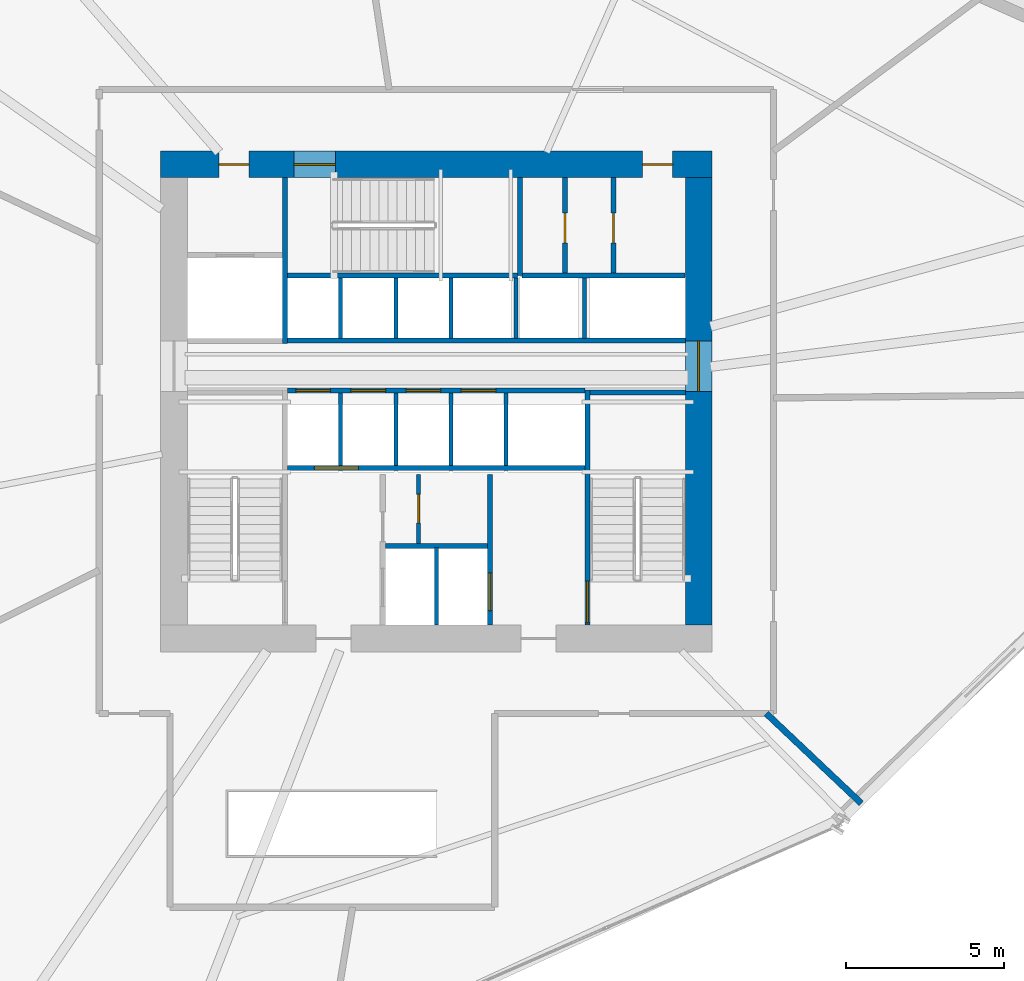
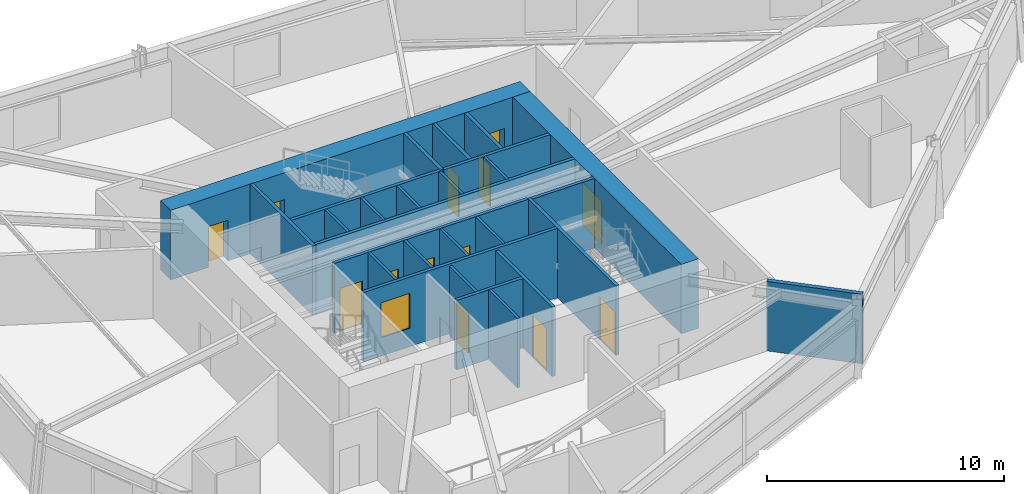
# One storey, part 14 of 17: 27 walls, 13 doors, 1 window, 14 openings.
"""IFC4 building model written with IfcOpenShell, lengths in metres."""

from ifc_helpers import new_model, si_unit, direction, frame, frame_2d, origin, place, context, subcontext, project, spatial, rectangle, extrude, source, transform, mapped, material, layer, layer_set, type_object, type_shapes, element, fill, save


model = new_model("IFC4")

# Units and contexts
model_context = context("Model", 3, precision=1e-05, world=origin(), true_north=direction((0.0, 1.0)))
body_context = subcontext(model_context, "Body", "Model", "MODEL_VIEW")
ifc_project = project(units=[si_unit("LENGTHUNIT", "METRE"), si_unit("AREAUNIT", "SQUARE_METRE"), si_unit("VOLUMEUNIT", "CUBIC_METRE"), si_unit("PLANEANGLEUNIT", "RADIAN"), si_unit("MASSUNIT", "GRAM", prefix="KILO")], contexts=[model_context])

# Site, building, storey
site_placement = place(None, origin())
site = spatial("IfcSite", under=ifc_project, at=site_placement, CompositionType="ELEMENT")
building_placement = place(site_placement, origin())
building = spatial("IfcBuilding", under=site, at=building_placement, Name="Olszyna Solenne Hotel", CompositionType="ELEMENT")
storey_placement = place(building_placement, frame((0.0, 0.0, 75.89990234375)))
storey = spatial("IfcBuildingStorey", under=building, at=storey_placement, Name="L19", CompositionType="ELEMENT", Elevation=75.89990234375)

# Wall, openings, doors
ifc_material_1 = material(Name="Concrete C60/75", Category="concrete")
ifc_layer_1 = layer(ifc_material_1, 0.85009765625, Name="Concrete C60/75")
ifc_layer_set_1 = layer_set([ifc_layer_1], Name="Concrete C60/75")
wall_type_1 = type_object("IfcWallType", Name="WL-CR850", PredefinedType="SHEAR", material=ifc_layer_set_1)
wall_1_placement = place(storey_placement, frame((29.25, 34.125, 0.0), z_axis=(0.0, 0.0, 1.0), x_axis=(1.0, 0.0, 0.0)))
wall_1 = element("IfcWall", 1, at=wall_1_placement, inside=storey, type_object=wall_type_1, Name="Core shear wall WL-CR850 CRW-L19-N", PredefinedType="SHEAR", context=body_context, shape_type="SweptSolid", body=[
    extrude(rectangle(XDim=17.5, YDim=0.85009765625, at=frame_2d((8.75, 0.0))), origin(), (0.0, 0.0, 1.0), 3.580078125),
])
opening_1_placement = place(wall_1_placement, frame((1.85009765625, 0.0, 0.0)))
opening_1 = element("IfcOpeningElement", 2, at=opening_1_placement, cuts=wall_1, Name="Opening SVD-L19-01", PredefinedType="OPENING", context=body_context, shape_type="SweptSolid", body=[
    extrude(rectangle(XDim=0.949951171875, YDim=2.10009765625, at=frame_2d((0.47509765625, 1.050048828125))), frame((0.0, 0.43505859375, 0.0), z_axis=(0.0, -1.0, 0.0), x_axis=(1.0, 0.0, 0.0)), (0.0, 0.0, 1.0), 0.8701171875),
])
opening_2_placement = place(wall_1_placement, frame((4.22998046875, 0.0, 0.0)))
opening_2 = element("IfcOpeningElement", 3, at=opening_2_placement, cuts=wall_1, Name="Opening STD-L19-03", PredefinedType="OPENING", context=body_context, shape_type="SweptSolid", body=[
    extrude(rectangle(XDim=1.320068359375, YDim=2.199951171875, at=frame_2d((0.66015625, 1.10009765625))), frame((0.0, 0.43505859375, 0.0), z_axis=(0.0, -1.0, 0.0), x_axis=(1.0, 0.0, 0.0)), (0.0, 0.0, 1.0), 0.8701171875),
])
opening_3_placement = place(wall_1_placement, frame((15.300048828125, 0.0, 0.0)))
opening_3 = element("IfcOpeningElement", 4, at=opening_3_placement, cuts=wall_1, Name="Opening SVD-L19-BN", PredefinedType="OPENING", context=body_context, shape_type="SweptSolid", body=[
    extrude(rectangle(XDim=0.949951171875, YDim=2.10009765625, at=frame_2d((0.47509765625, 1.050048828125))), frame((0.0, 0.43505859375, 0.0), z_axis=(0.0, -1.0, 0.0), x_axis=(1.0, 0.0, 0.0)), (0.0, 0.0, 1.0), 0.8701171875),
])
ifc_material_2 = material(Name="Steel S355J2", Category="steel")
door_type_1 = type_object("IfcDoorType", Name="DR-ST1", OperationType="NOTDEFINED", PredefinedType="DOOR", material=ifc_material_2)
shared_shape_1 = source(origin(), body_context, "Body", "SweptSolid", [
    extrude(rectangle(XDim=1.320068359375, YDim=2.199951171875, at=frame_2d((0.66015625, 1.10009765625))), frame((0.0, 0.02490234375, 0.0), z_axis=(0.0, -1.0, 0.0), x_axis=(1.0, 0.0, 0.0)), (0.0, 0.0, 1.0), 0.050048828125),
])
type_shapes(door_type_1, [shared_shape_1])
door_1_placement = place(opening_2_placement, origin())
door_1 = element("IfcDoor", 5, at=door_1_placement, inside=storey, type_object=door_type_1, Name="Pressurised exit stair ST3 fire door STD-L19-03", OperationType="SINGLE_SWING_RIGHT", OverallHeight=2.199951171875, OverallWidth=1.320068359375, PredefinedType="DOOR", context=body_context, shape_type="MappedRepresentation", body=[
    mapped(shared_shape_1, transform((0.0, 0.0, 0.0), x_axis=(1.0, 0.0, 0.0), y_axis=(0.0, 1.0, 0.0), z_axis=(0.0, 0.0, 1.0), scale=1.0)),
])
fill(opening_2, door_1)
door_type_2 = type_object("IfcDoorType", Name="DR-SV1", OperationType="NOTDEFINED", PredefinedType="DOOR", material=ifc_material_2)
shared_shape_2 = source(origin(), body_context, "Body", "SweptSolid", [
    extrude(rectangle(XDim=0.949951171875, YDim=2.10009765625, at=frame_2d((0.47509765625, 1.050048828125))), frame((0.0, 0.02490234375, 0.0), z_axis=(0.0, -1.0, 0.0), x_axis=(1.0, 0.0, 0.0)), (0.0, 0.0, 1.0), 0.050048828125),
])
type_shapes(door_type_2, [shared_shape_2])
door_2_placement = place(opening_1_placement, origin())
door_2 = element("IfcDoor", 6, at=door_2_placement, inside=storey, type_object=door_type_2, Name="Service lift lobby fire door SVD-L19-01", OperationType="SINGLE_SWING_LEFT", OverallHeight=2.10009765625, OverallWidth=0.949951171875, PredefinedType="DOOR", context=body_context, shape_type="MappedRepresentation", body=[
    mapped(shared_shape_2, transform((0.0, 0.0, 0.0), x_axis=(1.0, 0.0, 0.0), y_axis=(0.0, 1.0, 0.0), z_axis=(0.0, 0.0, 1.0), scale=1.0)),
])
fill(opening_1, door_2)
door_3_placement = place(opening_3_placement, origin())
door_3 = element("IfcDoor", 7, at=door_3_placement, inside=storey, type_object=door_type_2, Name="Housekeeping core fire door SVD-L19-BN", OperationType="SINGLE_SWING_LEFT", OverallHeight=2.10009765625, OverallWidth=0.949951171875, PredefinedType="DOOR", context=body_context, shape_type="MappedRepresentation", body=[
    mapped(shared_shape_2, transform((0.0, 0.0, 0.0), x_axis=(1.0, 0.0, 0.0), y_axis=(0.0, 1.0, 0.0), z_axis=(0.0, 0.0, 1.0), scale=1.0)),
])
fill(opening_3, door_3)

# Wall, opening, door
wall_2_placement = place(storey_placement, frame((46.324951171875, 33.699951171875, 0.0), z_axis=(0.0, 0.0, 1.0), x_axis=(0.0, -1.0, 0.0)))
wall_2 = element("IfcWall", 8, at=wall_2_placement, inside=storey, type_object=wall_type_1, Name="Core shear wall WL-CR850 CRW-L19-E", PredefinedType="SHEAR", context=body_context, shape_type="SweptSolid", body=[
    extrude(rectangle(XDim=14.199951171875, YDim=0.85009765625, at=frame_2d((7.10009765625, 0.0))), origin(), (0.0, 0.0, 1.0), 3.580078125),
])
opening_4_placement = place(wall_2_placement, frame((5.179931640625, 0.0, 0.0)))
opening_4 = element("IfcOpeningElement", 9, at=opening_4_placement, cuts=wall_2, Name="Opening LHD-L19-E", PredefinedType="OPENING", context=body_context, shape_type="SweptSolid", body=[
    extrude(rectangle(XDim=1.60009765625, YDim=2.199951171875, at=frame_2d((0.800048828125, 1.10009765625))), frame((0.0, 0.43505859375, 0.0), z_axis=(0.0, -1.0, 0.0), x_axis=(1.0, 0.0, 0.0)), (0.0, 0.0, 1.0), 0.8701171875),
])
ifc_material_3 = material(Name="Timber hardwood", Category="wood")
door_type_3 = type_object("IfcDoorType", Name="DR-CR1", OperationType="DOUBLE_DOOR_SINGLE_SWING", PredefinedType="DOOR", material=ifc_material_3)
shared_shape_3 = source(origin(), body_context, "Body", "SweptSolid", [
    extrude(rectangle(XDim=1.60009765625, YDim=2.199951171875, at=frame_2d((0.800048828125, 1.10009765625))), frame((0.0, 0.02490234375, 0.0), z_axis=(0.0, -1.0, 0.0), x_axis=(1.0, 0.0, 0.0)), (0.0, 0.0, 1.0), 0.050048828125),
])
type_shapes(door_type_3, [shared_shape_3])
door_4_placement = place(opening_4_placement, origin())
door_4 = element("IfcDoor", 10, at=door_4_placement, inside=storey, type_object=door_type_3, Name="Passenger lift lobby East fire door LHD-L19-E", OperationType="DOUBLE_DOOR_SINGLE_SWING", OverallHeight=2.199951171875, OverallWidth=1.60009765625, PredefinedType="DOOR", context=body_context, shape_type="MappedRepresentation", body=[
    mapped(shared_shape_3, transform((0.0, 0.0, 0.0), x_axis=(1.0, 0.0, 0.0), y_axis=(0.0, 1.0, 0.0), z_axis=(0.0, 0.0, 1.0), scale=1.0)),
])
fill(opening_4, door_4)

# Wall
ifc_material_4 = material(Name="Acoustic gypsum partition", Category="gypsum")
ifc_layer_2 = layer(ifc_material_4, 0.125, Name="Acoustic gypsum partition")
ifc_layer_set_2 = layer_set([ifc_layer_2], Name="Acoustic gypsum partition")
wall_type_2 = type_object("IfcWallType", Name="WL-PT125", PredefinedType="PARTITIONING", material=ifc_layer_set_2)
wall_3_placement = place(storey_placement, frame((38.0, 19.5, 0.0), z_axis=(0.0, 0.0, 1.0), x_axis=(0.0, 1.0, 0.0)))
element("IfcWall", 11, at=wall_3_placement, inside=storey, type_object=wall_type_2, Name="Core shaft compartment wall CW-L19-FFM", PredefinedType="PARTITIONING", context=body_context, shape_type="SweptSolid", body=[
    extrude(rectangle(XDim=2.4599609375, YDim=0.125, at=frame_2d((1.22998046875, 0.0))), origin(), (0.0, 0.0, 1.0), 3.580078125),
])

# Wall, opening, door
wall_4_placement = place(storey_placement, frame((37.44189453125, 22.10009765625, 0.0), z_axis=(0.0, 0.0, 1.0), x_axis=(0.0, 1.0, 0.0)))
wall_4 = element("IfcWall", 12, at=wall_4_placement, inside=storey, type_object=wall_type_2, Name="Core shaft compartment wall CW-L19-SC3", PredefinedType="PARTITIONING", context=body_context, shape_type="SweptSolid", body=[
    extrude(rectangle(XDim=2.179931640625, YDim=0.125, at=frame_2d((1.08984375, 0.0))), origin(), (0.0, 0.0, 1.0), 3.580078125),
])
opening_5_placement = place(wall_4_placement, frame((0.64990234375, 0.0, 0.0)))
opening_5 = element("IfcOpeningElement", 13, at=opening_5_placement, cuts=wall_4, Name="Opening SVD-L19-SC3", PredefinedType="OPENING", context=body_context, shape_type="SweptSolid", body=[
    extrude(rectangle(XDim=0.89990234375, YDim=2.10009765625, at=frame_2d((0.449951171875, 1.050048828125))), frame((0.0, 0.072509765625, 0.0), z_axis=(0.0, -1.0, 0.0), x_axis=(1.0, 0.0, 0.0)), (0.0, 0.0, 1.0), 0.14501953125),
])
door_type_4 = type_object("IfcDoorType", Name="DR-WC1", OperationType="NOTDEFINED", PredefinedType="DOOR", material=ifc_material_3)
shared_shape_4 = source(origin(), body_context, "Body", "SweptSolid", [
    extrude(rectangle(XDim=0.89990234375, YDim=2.10009765625, at=frame_2d((0.449951171875, 1.050048828125))), frame((0.0, 0.02490234375, 0.0), z_axis=(0.0, -1.0, 0.0), x_axis=(1.0, 0.0, 0.0)), (0.0, 0.0, 1.0), 0.050048828125),
])
type_shapes(door_type_4, [shared_shape_4])
door_5_placement = place(opening_5_placement, origin())
door_5 = element("IfcDoor", 14, at=door_5_placement, inside=storey, type_object=door_type_4, Name="Trolley bay door SVD-L19-SC3", OperationType="SINGLE_SWING_LEFT", OverallHeight=2.10009765625, OverallWidth=0.89990234375, PredefinedType="DOOR", context=body_context, shape_type="MappedRepresentation", body=[
    mapped(shared_shape_4, transform((0.0, 0.0, 0.0), x_axis=(1.0, 0.0, 0.0), y_axis=(0.0, 1.0, 0.0), z_axis=(0.0, 0.0, 1.0), scale=1.0)),
])
fill(opening_5, door_5)

# Walls
for number, where, z_axis, x_axis, name in (
    (15, (34.965087890625, 24.56005859375, 0.0), (0.0, 0.0, 1.0), (0.0, 1.0, 0.0), "Core shaft compartment wall CW-L19-DIVS349"),
    (16, (36.715087890625, 24.56005859375, 0.0), (0.0, 0.0, 1.0), (0.0, 1.0, 0.0), "Core shaft compartment wall CW-L19-DIVS367"),
    (17, (38.465087890625, 24.56005859375, 0.0), (0.0, 0.0, 1.0), (0.0, 1.0, 0.0), "Core shaft compartment wall CW-L19-DIVS384"),
    (18, (40.215087890625, 24.56005859375, 0.0), (0.0, 0.0, 1.0), (0.0, 1.0, 0.0), "Core shaft compartment wall CW-L19-DIVS402"),
):
    element("IfcWall", number, at=place(storey_placement, frame(where, z_axis=z_axis, x_axis=x_axis)), inside=storey, type_object=wall_type_2, Name=name, PredefinedType="PARTITIONING", context=body_context, shape_type="SweptSolid", body=[
        extrude(rectangle(XDim=2.31005859375, YDim=0.125, at=frame_2d((1.155029296875, 0.0))), origin(), (0.0, 0.0, 1.0), 3.580078125),
    ])
for number, where, z_axis, x_axis, name in (
    (19, (34.965087890625, 28.60009765625, 0.0), (0.0, 0.0, 1.0), (0.0, 1.0, 0.0), "Core shaft compartment wall CW-L19-DIVN349"),
    (20, (36.715087890625, 28.60009765625, 0.0), (0.0, 0.0, 1.0), (0.0, 1.0, 0.0), "Core shaft compartment wall CW-L19-DIVN367"),
    (21, (38.465087890625, 28.60009765625, 0.0), (0.0, 0.0, 1.0), (0.0, 1.0, 0.0), "Core shaft compartment wall CW-L19-DIVN384"),
    (22, (40.52490234375, 28.60009765625, 0.0), (0.0, 0.0, 1.0), (0.0, 1.0, 0.0), "Core shaft compartment wall CW-L19-DIVEX405"),
    (23, (42.699951171875, 28.60009765625, 0.0), (0.0, 0.0, 1.0), (0.0, 1.0, 0.0), "Core shaft compartment wall CW-L19-DIVEX427"),
):
    element("IfcWall", number, at=place(storey_placement, frame(where, z_axis=z_axis, x_axis=x_axis)), inside=storey, type_object=wall_type_2, Name=name, PredefinedType="PARTITIONING", context=body_context, shape_type="SweptSolid", body=[
        extrude(rectangle(XDim=1.919921875, YDim=0.125, at=frame_2d((0.9599609375, 0.0))), origin(), (0.0, 0.0, 1.0), 3.580078125),
    ])

# Wall, opening, door
ifc_layer_3 = layer(ifc_material_4, 0.159912109375, Name="Acoustic gypsum partition")
ifc_layer_set_3 = layer_set([ifc_layer_3], Name="Acoustic gypsum partition")
wall_type_3 = type_object("IfcWallType", Name="WL-PT160", PredefinedType="PARTITIONING", material=ifc_layer_set_3)
wall_5_placement = place(storey_placement, frame((42.800048828125, 26.9599609375, 0.0), z_axis=(0.0, 0.0, 1.0), x_axis=(0.0, -1.0, 0.0)))
wall_5 = element("IfcWall", 24, at=wall_5_placement, inside=storey, type_object=wall_type_3, Name="Core shaft compartment wall CW-L19-ST2W", PredefinedType="PARTITIONING", context=body_context, shape_type="SweptSolid", body=[
    extrude(rectangle(XDim=7.4599609375, YDim=0.159912109375, at=frame_2d((3.72998046875, 0.0))), origin(), (0.0, 0.0, 1.0), 3.580078125),
])
opening_6_placement = place(wall_5_placement, frame((6.06005859375, 0.0, 0.0)))
opening_6 = element("IfcOpeningElement", 25, at=opening_6_placement, cuts=wall_5, Name="Opening STD-L19-02", PredefinedType="OPENING", context=body_context, shape_type="SweptSolid", body=[
    extrude(rectangle(XDim=1.320068359375, YDim=2.199951171875, at=frame_2d((0.66015625, 1.10009765625))), frame((0.0, 0.08984375, 0.0), z_axis=(0.0, -1.0, 0.0), x_axis=(1.0, 0.0, 0.0)), (0.0, 0.0, 1.0), 0.179931640625),
])
door_6_placement = place(opening_6_placement, origin())
door_6 = element("IfcDoor", 26, at=door_6_placement, inside=storey, type_object=door_type_1, Name="Pressurised exit stair ST2 fire door STD-L19-02", OperationType="SINGLE_SWING_RIGHT", OverallHeight=2.199951171875, OverallWidth=1.320068359375, PredefinedType="DOOR", context=body_context, shape_type="MappedRepresentation", body=[
    mapped(shared_shape_1, transform((0.0, 0.0, 0.0), x_axis=(1.0, 0.0, 0.0), y_axis=(0.0, 1.0, 0.0), z_axis=(0.0, 0.0, 1.0), scale=1.0)),
])
fill(opening_6, door_6)

# Walls
wall_6_placement = place(storey_placement, frame((42.8798828125, 26.8798828125, 0.0), z_axis=(0.0, 0.0, 1.0), x_axis=(1.0, 0.0, 0.0)))
element("IfcWall", 27, at=wall_6_placement, inside=storey, type_object=wall_type_3, Name="Core shaft compartment wall CW-L19-ST2N", PredefinedType="PARTITIONING", context=body_context, shape_type="SweptSolid", body=[
    extrude(rectangle(XDim=3.02001953125, YDim=0.159912109375, at=frame_2d((1.510009765625, 0.0))), origin(), (0.0, 0.0, 1.0), 3.580078125),
])
wall_7_placement = place(storey_placement, frame((33.280029296875, 30.60009765625, 0.0), z_axis=(0.0, 0.0, 1.0), x_axis=(1.0, 0.0, 0.0)))
element("IfcWall", 28, at=wall_7_placement, inside=storey, type_object=wall_type_3, Name="Core shaft compartment wall CW-L19-ST3S", PredefinedType="PARTITIONING", context=body_context, shape_type="SweptSolid", body=[
    extrude(rectangle(XDim=7.300048828125, YDim=0.159912109375, at=frame_2d((3.64990234375, 0.0))), origin(), (0.0, 0.0, 1.0), 3.580078125),
])
wall_8_placement = place(storey_placement, frame((40.659912109375, 30.60009765625, 0.0), z_axis=(0.0, 0.0, 1.0), x_axis=(0.0, 1.0, 0.0)))
element("IfcWall", 29, at=wall_8_placement, inside=storey, type_object=wall_type_3, Name="Core shaft compartment wall CW-L19-ST3E", PredefinedType="PARTITIONING", context=body_context, shape_type="SweptSolid", body=[
    extrude(rectangle(XDim=3.099853515625, YDim=0.159912109375, at=frame_2d((1.5498046875, 0.0))), origin(), (0.0, 0.0, 1.0), 3.580078125),
])

# Wall, opening, door
wall_9_placement = place(storey_placement, frame((39.699951171875, 24.280029296875, 0.0), z_axis=(0.0, 0.0, 1.0), x_axis=(0.0, -1.0, 0.0)))
wall_9 = element("IfcWall", 30, at=wall_9_placement, inside=storey, type_object=wall_type_3, Name="Core shaft compartment wall CW-L19-FF2E", PredefinedType="PARTITIONING", context=body_context, shape_type="SweptSolid", body=[
    extrude(rectangle(XDim=4.780029296875, YDim=0.159912109375, at=frame_2d((2.39013671875, 0.0))), origin(), (0.0, 0.0, 1.0), 3.580078125),
])
opening_7_placement = place(wall_9_placement, frame((3.1201171875, 0.0, 0.0)))
opening_7 = element("IfcOpeningElement", 31, at=opening_7_placement, cuts=wall_9, Name="Opening LD-L19-FF2", PredefinedType="OPENING", context=body_context, shape_type="SweptSolid", body=[
    extrude(rectangle(XDim=1.199951171875, YDim=2.199951171875, at=frame_2d((0.60009765625, 1.10009765625))), frame((0.0, 0.08984375, 0.0), z_axis=(0.0, -1.0, 0.0), x_axis=(1.0, 0.0, 0.0)), (0.0, 0.0, 1.0), 0.179931640625),
])
door_type_5 = type_object("IfcDoorType", Name="LD-FF1", OperationType="DOUBLE_DOOR_SLIDING", PredefinedType="DOOR", material=ifc_material_2)
shared_shape_5 = source(origin(), body_context, "Body", "SweptSolid", [
    extrude(rectangle(XDim=1.199951171875, YDim=2.199951171875, at=frame_2d((0.60009765625, 1.10009765625))), frame((0.0, 0.02490234375, 0.0), z_axis=(0.0, -1.0, 0.0), x_axis=(1.0, 0.0, 0.0)), (0.0, 0.0, 1.0), 0.050048828125),
])
type_shapes(door_type_5, [shared_shape_5])
door_7_placement = place(opening_7_placement, origin())
door_7 = element("IfcDoor", 32, at=door_7_placement, inside=storey, type_object=door_type_5, Name="Firefighters lift FF2 sliding landing door LD-L19-FF2", OperationType="DOUBLE_DOOR_SLIDING", OverallHeight=2.199951171875, OverallWidth=1.199951171875, PredefinedType="DOOR", context=body_context, shape_type="MappedRepresentation", body=[
    mapped(shared_shape_5, transform((0.0, 0.0, 0.0), x_axis=(1.0, 0.0, 0.0), y_axis=(0.0, 1.0, 0.0), z_axis=(0.0, 0.0, 1.0), scale=1.0)),
])
fill(opening_7, door_7)

# Wall
wall_10_placement = place(storey_placement, frame((36.3798828125, 22.02001953125, 0.0), z_axis=(0.0, 0.0, 1.0), x_axis=(1.0, 0.0, 0.0)))
element("IfcWall", 33, at=wall_10_placement, inside=storey, type_object=wall_type_3, Name="Core shaft compartment wall CW-L19-FFN", PredefinedType="PARTITIONING", context=body_context, shape_type="SweptSolid", body=[
    extrude(rectangle(XDim=3.240234375, YDim=0.159912109375, at=frame_2d((1.6201171875, 0.0))), origin(), (0.0, 0.0, 1.0), 3.580078125),
])

# Wall, opening, window
wall_11_placement = place(storey_placement, frame((33.280029296875, 24.489990234375, 0.0), z_axis=(0.0, 0.0, 1.0), x_axis=(1.0, 0.0, 0.0)))
wall_11 = element("IfcWall", 34, at=wall_11_placement, inside=storey, type_object=wall_type_3, Name="Core shaft compartment wall CW-L19-FFBN", PredefinedType="PARTITIONING", context=body_context, shape_type="SweptSolid", body=[
    extrude(rectangle(XDim=9.43994140625, YDim=0.159912109375, at=frame_2d((4.719970703125, 0.0))), origin(), (0.0, 0.0, 1.0), 3.580078125),
])
opening_8_placement = place(wall_11_placement, frame((0.85009765625, 0.0, 0.949951171875)))
opening_8 = element("IfcOpeningElement", 35, at=opening_8_placement, cuts=wall_11, Name="Opening WNI-L19-01", PredefinedType="OPENING", context=body_context, shape_type="SweptSolid", body=[
    extrude(rectangle(XDim=1.39990234375, YDim=1.800048828125, at=frame_2d((0.699951171875, 0.89990234375))), frame((0.0, 0.08984375, 0.0), z_axis=(0.0, -1.0, 0.0), x_axis=(1.0, 0.0, 0.0)), (0.0, 0.0, 1.0), 0.179931640625),
])
ifc_material_5 = material(Name="Low-E triple glazing", Category="glass")
window_type = type_object("IfcWindowType", Name="WN-IN1", PartitioningType="SINGLE_PANEL", PredefinedType="WINDOW", material=ifc_material_5)
shared_shape_6 = source(origin(), body_context, "Body", "SweptSolid", [
    extrude(rectangle(XDim=1.39990234375, YDim=1.800048828125, at=frame_2d((0.699951171875, 0.89990234375))), frame((0.0, 0.030029296875, 0.0), z_axis=(0.0, -1.0, 0.0), x_axis=(1.0, 0.0, 0.0)), (0.0, 0.0, 1.0), 0.06005859375),
])
type_shapes(window_type, [shared_shape_6])
window_placement = place(opening_8_placement, origin())
window = element("IfcWindow", 36, at=window_placement, inside=storey, type_object=window_type, Name="Borrowed-light acoustic screen window WNI-L19-01", OverallHeight=1.800048828125, OverallWidth=1.39990234375, PartitioningType="SINGLE_PANEL", PredefinedType="WINDOW", context=body_context, shape_type="MappedRepresentation", body=[
    mapped(shared_shape_6, transform((0.0, 0.0, 0.0), x_axis=(1.0, 0.0, 0.0), y_axis=(0.0, 1.0, 0.0), z_axis=(0.0, 0.0, 1.0), scale=1.0)),
])
fill(opening_8, window)

# Wall
wall_12_placement = place(storey_placement, frame((33.199951171875, 28.43994140625, 0.0), z_axis=(0.0, 0.0, 1.0), x_axis=(0.0, 1.0, 0.0)))
element("IfcWall", 37, at=wall_12_placement, inside=storey, type_object=wall_type_3, Name="Core shaft compartment wall CW-L19-SV1E", PredefinedType="PARTITIONING", context=body_context, shape_type="SweptSolid", body=[
    extrude(rectangle(XDim=5.260009765625, YDim=0.159912109375, at=frame_2d((2.6298828125, 0.0))), origin(), (0.0, 0.0, 1.0), 3.580078125),
])

# Wall, openings, doors
wall_13_placement = place(storey_placement, frame((33.280029296875, 26.949951171875, 0.0), z_axis=(0.0, 0.0, 1.0), x_axis=(1.0, 0.0, 0.0)))
wall_13 = element("IfcWall", 38, at=wall_13_placement, inside=storey, type_object=wall_type_3, Name="Core shaft compartment wall CW-L19-LRS", PredefinedType="PARTITIONING", context=body_context, shape_type="SweptSolid", body=[
    extrude(rectangle(XDim=9.43994140625, YDim=0.159912109375, at=frame_2d((4.719970703125, 0.0))), origin(), (0.0, 0.0, 1.0), 3.580078125),
])
opening_9_placement = place(wall_13_placement, frame((0.260009765625, 0.0, 0.0)))
opening_9 = element("IfcOpeningElement", 39, at=opening_9_placement, cuts=wall_13, Name="Opening LD-L19-PL1", PredefinedType="OPENING", context=body_context, shape_type="SweptSolid", body=[
    extrude(rectangle(XDim=1.10009765625, YDim=2.199951171875, at=frame_2d((0.550048828125, 1.10009765625))), frame((0.0, 0.08984375, 0.0), z_axis=(0.0, -1.0, 0.0), x_axis=(1.0, 0.0, 0.0)), (0.0, 0.0, 1.0), 0.179931640625),
])
opening_10_placement = place(wall_13_placement, frame((2.010009765625, 0.0, 0.0)))
opening_10 = element("IfcOpeningElement", 40, at=opening_10_placement, cuts=wall_13, Name="Opening LD-L19-PL2", PredefinedType="OPENING", context=body_context, shape_type="SweptSolid", body=[
    extrude(rectangle(XDim=1.10009765625, YDim=2.199951171875, at=frame_2d((0.550048828125, 1.10009765625))), frame((0.0, 0.08984375, 0.0), z_axis=(0.0, -1.0, 0.0), x_axis=(1.0, 0.0, 0.0)), (0.0, 0.0, 1.0), 0.179931640625),
])
opening_11_placement = place(wall_13_placement, frame((3.760009765625, 0.0, 0.0)))
opening_11 = element("IfcOpeningElement", 41, at=opening_11_placement, cuts=wall_13, Name="Opening LD-L19-PL3", PredefinedType="OPENING", context=body_context, shape_type="SweptSolid", body=[
    extrude(rectangle(XDim=1.10009765625, YDim=2.199951171875, at=frame_2d((0.550048828125, 1.10009765625))), frame((0.0, 0.08984375, 0.0), z_axis=(0.0, -1.0, 0.0), x_axis=(1.0, 0.0, 0.0)), (0.0, 0.0, 1.0), 0.179931640625),
])
opening_12_placement = place(wall_13_placement, frame((5.510009765625, 0.0, 0.0)))
opening_12 = element("IfcOpeningElement", 42, at=opening_12_placement, cuts=wall_13, Name="Opening LD-L19-PL4", PredefinedType="OPENING", context=body_context, shape_type="SweptSolid", body=[
    extrude(rectangle(XDim=1.10009765625, YDim=2.199951171875, at=frame_2d((0.550048828125, 1.10009765625))), frame((0.0, 0.08984375, 0.0), z_axis=(0.0, -1.0, 0.0), x_axis=(1.0, 0.0, 0.0)), (0.0, 0.0, 1.0), 0.179931640625),
])
door_type_6 = type_object("IfcDoorType", Name="LD-P1", OperationType="DOUBLE_DOOR_SLIDING", PredefinedType="DOOR", material=ifc_material_2)
shared_shape_7 = source(origin(), body_context, "Body", "SweptSolid", [
    extrude(rectangle(XDim=1.10009765625, YDim=2.199951171875, at=frame_2d((0.550048828125, 1.10009765625))), frame((0.0, 0.02490234375, 0.0), z_axis=(0.0, -1.0, 0.0), x_axis=(1.0, 0.0, 0.0)), (0.0, 0.0, 1.0), 0.050048828125),
])
type_shapes(door_type_6, [shared_shape_7])
door_8_placement = place(opening_9_placement, origin())
door_8 = element("IfcDoor", 43, at=door_8_placement, inside=storey, type_object=door_type_6, Name="Passenger lift PL1 sliding landing door LD-L19-PL1", OperationType="DOUBLE_DOOR_SLIDING", OverallHeight=2.199951171875, OverallWidth=1.10009765625, PredefinedType="DOOR", context=body_context, shape_type="MappedRepresentation", body=[
    mapped(shared_shape_7, transform((0.0, 0.0, 0.0), x_axis=(1.0, 0.0, 0.0), y_axis=(0.0, 1.0, 0.0), z_axis=(0.0, 0.0, 1.0), scale=1.0)),
])
fill(opening_9, door_8)
door_9_placement = place(opening_10_placement, origin())
door_9 = element("IfcDoor", 44, at=door_9_placement, inside=storey, type_object=door_type_6, Name="Passenger lift PL2 sliding landing door LD-L19-PL2", OperationType="DOUBLE_DOOR_SLIDING", OverallHeight=2.199951171875, OverallWidth=1.10009765625, PredefinedType="DOOR", context=body_context, shape_type="MappedRepresentation", body=[
    mapped(shared_shape_7, transform((0.0, 0.0, 0.0), x_axis=(1.0, 0.0, 0.0), y_axis=(0.0, 1.0, 0.0), z_axis=(0.0, 0.0, 1.0), scale=1.0)),
])
fill(opening_10, door_9)
door_10_placement = place(opening_11_placement, origin())
door_10 = element("IfcDoor", 45, at=door_10_placement, inside=storey, type_object=door_type_6, Name="Passenger lift PL3 sliding landing door LD-L19-PL3", OperationType="DOUBLE_DOOR_SLIDING", OverallHeight=2.199951171875, OverallWidth=1.10009765625, PredefinedType="DOOR", context=body_context, shape_type="MappedRepresentation", body=[
    mapped(shared_shape_7, transform((0.0, 0.0, 0.0), x_axis=(1.0, 0.0, 0.0), y_axis=(0.0, 1.0, 0.0), z_axis=(0.0, 0.0, 1.0), scale=1.0)),
])
fill(opening_11, door_10)
door_11_placement = place(opening_12_placement, origin())
door_11 = element("IfcDoor", 46, at=door_11_placement, inside=storey, type_object=door_type_6, Name="Passenger lift PL4 sliding landing door LD-L19-PL4", OperationType="DOUBLE_DOOR_SLIDING", OverallHeight=2.199951171875, OverallWidth=1.10009765625, PredefinedType="DOOR", context=body_context, shape_type="MappedRepresentation", body=[
    mapped(shared_shape_7, transform((0.0, 0.0, 0.0), x_axis=(1.0, 0.0, 0.0), y_axis=(0.0, 1.0, 0.0), z_axis=(0.0, 0.0, 1.0), scale=1.0)),
])
fill(opening_12, door_11)

# Walls
wall_14_placement = place(storey_placement, frame((33.280029296875, 28.5400390625, 0.0), z_axis=(0.0, 0.0, 1.0), x_axis=(1.0, 0.0, 0.0)))
element("IfcWall", 47, at=wall_14_placement, inside=storey, type_object=wall_type_3, Name="Core shaft compartment wall CW-L19-LRN", PredefinedType="PARTITIONING", context=body_context, shape_type="SweptSolid", body=[
    extrude(rectangle(XDim=12.619873046875, YDim=0.159912109375, at=frame_2d((6.31005859375, 0.0))), origin(), (0.0, 0.0, 1.0), 3.580078125),
])
wall_15_placement = place(storey_placement, frame((40.719970703125, 30.60009765625, 0.0), z_axis=(0.0, 0.0, 1.0), x_axis=(1.0, 0.0, 0.0)))
element("IfcWall", 48, at=wall_15_placement, inside=storey, type_object=wall_type_3, Name="Core shaft compartment wall CW-L19-LRNTOP", PredefinedType="PARTITIONING", context=body_context, shape_type="SweptSolid", body=[
    extrude(rectangle(XDim=5.179931640625, YDim=0.159912109375, at=frame_2d((2.58984375, 0.0))), origin(), (0.0, 0.0, 1.0), 3.580078125),
])

# Wall, opening, door
wall_16_placement = place(storey_placement, frame((42.0849609375, 30.679931640625, 0.0), z_axis=(0.0, 0.0, 1.0), x_axis=(0.0, 1.0, 0.0)))
wall_16 = element("IfcWall", 49, at=wall_16_placement, inside=storey, type_object=wall_type_3, Name="Core shaft compartment wall CW-L19-BOH3A", PredefinedType="PARTITIONING", context=body_context, shape_type="SweptSolid", body=[
    extrude(rectangle(XDim=3.02001953125, YDim=0.159912109375, at=frame_2d((1.510009765625, 0.0))), origin(), (0.0, 0.0, 1.0), 3.580078125),
])
opening_13_placement = place(wall_16_placement, frame((0.949951171875, 0.0, 0.0)))
opening_13 = element("IfcOpeningElement", 50, at=opening_13_placement, cuts=wall_16, Name="Opening SVD-L19-B31", PredefinedType="OPENING", context=body_context, shape_type="SweptSolid", body=[
    extrude(rectangle(XDim=0.949951171875, YDim=2.10009765625, at=frame_2d((0.47509765625, 1.050048828125))), frame((0.0, 0.08984375, 0.0), z_axis=(0.0, -1.0, 0.0), x_axis=(1.0, 0.0, 0.0)), (0.0, 0.0, 1.0), 0.179931640625),
])
door_12_placement = place(opening_13_placement, origin())
door_12 = element("IfcDoor", 51, at=door_12_placement, inside=storey, type_object=door_type_2, Name="BOH inter-room fire door SVD-L19-B31", OperationType="SINGLE_SWING_LEFT", OverallHeight=2.10009765625, OverallWidth=0.949951171875, PredefinedType="DOOR", context=body_context, shape_type="MappedRepresentation", body=[
    mapped(shared_shape_2, transform((0.0, 0.0, 0.0), x_axis=(1.0, 0.0, 0.0), y_axis=(0.0, 1.0, 0.0), z_axis=(0.0, 0.0, 1.0), scale=1.0)),
])
fill(opening_13, door_12)

wall_17_placement = place(storey_placement, frame((43.625, 30.679931640625, 0.0), z_axis=(0.0, 0.0, 1.0), x_axis=(0.0, 1.0, 0.0)))
wall_17 = element("IfcWall", 52, at=wall_17_placement, inside=storey, type_object=wall_type_3, Name="Core shaft compartment wall CW-L19-BOH3B", PredefinedType="PARTITIONING", context=body_context, shape_type="SweptSolid", body=[
    extrude(rectangle(XDim=3.02001953125, YDim=0.159912109375, at=frame_2d((1.510009765625, 0.0))), origin(), (0.0, 0.0, 1.0), 3.580078125),
])
opening_14_placement = place(wall_17_placement, frame((0.949951171875, 0.0, 0.0)))
opening_14 = element("IfcOpeningElement", 53, at=opening_14_placement, cuts=wall_17, Name="Opening SVD-L19-B32", PredefinedType="OPENING", context=body_context, shape_type="SweptSolid", body=[
    extrude(rectangle(XDim=0.949951171875, YDim=2.10009765625, at=frame_2d((0.47509765625, 1.050048828125))), frame((0.0, 0.08984375, 0.0), z_axis=(0.0, -1.0, 0.0), x_axis=(1.0, 0.0, 0.0)), (0.0, 0.0, 1.0), 0.179931640625),
])
door_13_placement = place(opening_14_placement, origin())
door_13 = element("IfcDoor", 54, at=door_13_placement, inside=storey, type_object=door_type_2, Name="BOH inter-room fire door SVD-L19-B32", OperationType="SINGLE_SWING_LEFT", OverallHeight=2.10009765625, OverallWidth=0.949951171875, PredefinedType="DOOR", context=body_context, shape_type="MappedRepresentation", body=[
    mapped(shared_shape_2, transform((0.0, 0.0, 0.0), x_axis=(1.0, 0.0, 0.0), y_axis=(0.0, 1.0, 0.0), z_axis=(0.0, 0.0, 1.0), scale=1.0)),
])
fill(opening_14, door_13)

# Wall
ifc_layer_4 = layer(ifc_material_4, 0.199951171875, Name="Acoustic gypsum partition")
ifc_layer_set_4 = layer_set([ifc_layer_4], Name="Acoustic gypsum partition")
wall_type_4 = type_object("IfcWallType", Name="WL-PT200", PredefinedType="PARTITIONING", material=ifc_layer_set_4)
wall_18_placement = place(storey_placement, frame((48.468994140625, 16.699951171875, 0.0), z_axis=(0.0, 0.0, 1.0), x_axis=(0.726589007233, -0.687072350316, 0.0)))
element("IfcWall", 55, at=wall_18_placement, inside=storey, type_object=wall_type_4, Name="Interior acoustic partition WL-PT200 PW-L19-1085", PredefinedType="PARTITIONING", context=body_context, shape_type="SweptSolid", body=[
    extrude(rectangle(XDim=4.151611328125, YDim=0.199951171875, at=frame_2d((2.07568359375, 0.0))), origin(), (0.0, 0.0, 1.0), 3.580078125),
])

save(model, "model.ifc")
